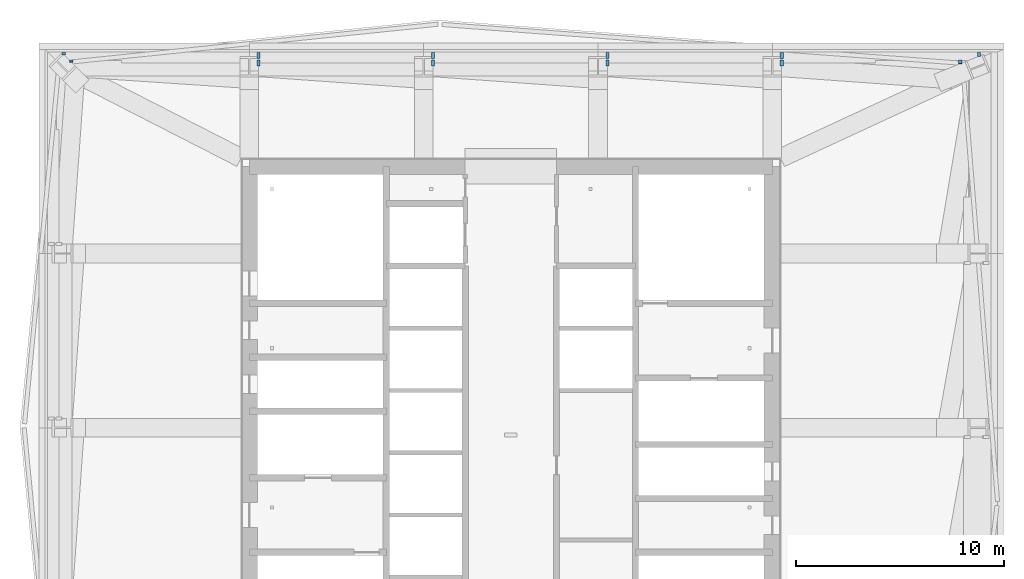
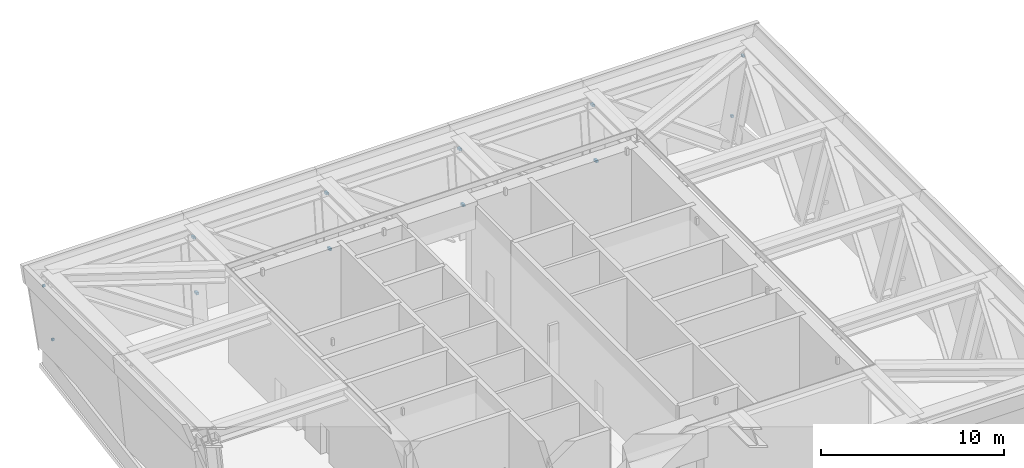
# One storey, part 6 of 7: 12 discrete accessories.
"""IFC4 building model written with IfcOpenShell, lengths in metres."""

from ifc_helpers import new_model, si_unit, direction, frame, origin, origin_2d, place, context, subcontext, project, spatial, rectangle, extrude, material, type_object, element, save


model = new_model("IFC4")

# Units and contexts
model_context = context("Model", 3, precision=1e-05, world=origin(), true_north=direction((0.0, 1.0)))
body_context = subcontext(model_context, "Body", "Model", "MODEL_VIEW")
ifc_project = project(units=[si_unit("LENGTHUNIT", "METRE"), si_unit("AREAUNIT", "SQUARE_METRE"), si_unit("VOLUMEUNIT", "CUBIC_METRE"), si_unit("PLANEANGLEUNIT", "RADIAN"), si_unit("MASSUNIT", "GRAM", prefix="KILO")], contexts=[model_context])

# Site, building, storey
site_placement = place(None, origin())
site = spatial("IfcSite", under=ifc_project, at=site_placement, CompositionType="ELEMENT")
building_placement = place(site_placement, origin())
building = spatial("IfcBuilding", under=site, at=building_placement, Name="Rekha Terrace Tower", CompositionType="ELEMENT")
storey_placement = place(building_placement, frame((0.0, 0.0, 296.75)))
storey = spatial("IfcBuildingStorey", under=building, at=storey_placement, Name="L75", CompositionType="ELEMENT", Elevation=296.75)

# Discrete accessories
ifc_material = material(Name="Galvanised steel bracket", Category="steel")
discrete_accessory_type = type_object("IfcDiscreteAccessoryType", Name="CB2 crown screen bracket 150 x 150", PredefinedType="BRACKET", material=ifc_material)
discrete_accessory_1_placement = place(storey_placement, frame((59.4521484375, 51.135498046875, 1.31787109375), z_axis=(0.0, 0.994785074076, -0.101993413494), x_axis=(-1.0, 0.0, 0.0)))
element("IfcDiscreteAccessory", 1, at=discrete_accessory_1_placement, inside=storey, type_object=discrete_accessory_type, Name="Crown screen bracket 8G foot", PredefinedType="BRACKET", context=body_context, shape_type="SweptSolid", body=[
    extrude(rectangle(XDim=0.14990234375, YDim=0.14990234375, at=origin_2d()), origin(), (0.0, 0.0, 1.0), 0.1748046875),
])
discrete_accessory_2_placement = place(storey_placement, frame((60.349609375, 51.49462890625, 4.81787109375), z_axis=(0.0, 0.994770509438, -0.102135368761), x_axis=(-1.0, 0.0, 0.0)))
element("IfcDiscreteAccessory", 2, at=discrete_accessory_2_placement, inside=storey, type_object=discrete_accessory_type, Name="Crown screen bracket 8G head", PredefinedType="BRACKET", context=body_context, shape_type="SweptSolid", body=[
    extrude(rectangle(XDim=0.14990234375, YDim=0.14990234375, at=origin_2d()), origin(), (0.0, 0.0, 1.0), 0.174560546875),
])
for number, where, z_axis, x_axis, name in (
    (3, (50.85009765625, 51.0361328125, 1.39990234375), (0.0, 0.994767911049, -0.102160673197), (-1.0, 0.0, 0.0), "Crown screen bracket 7G foot"),
    (4, (50.85009765625, 51.39501953125, 4.89990234375), (0.0, 0.994767911049, -0.102160673197), (-1.0, 0.0, 0.0), "Crown screen bracket 7G head"),
    (5, (42.449951171875, 51.0361328125, 1.39990234375), (0.0, 0.994767911049, -0.102160673197), (-1.0, 0.0, 0.0), "Crown screen bracket 6G foot"),
    (6, (42.449951171875, 51.39501953125, 4.89990234375), (0.0, 0.994767911049, -0.102160673197), (-1.0, 0.0, 0.0), "Crown screen bracket 6G head"),
    (7, (34.050048828125, 51.0361328125, 1.39990234375), (0.0, 0.994767911049, -0.102160673197), (-1.0, 0.0, 0.0), "Crown screen bracket 5G foot"),
    (8, (34.050048828125, 51.39501953125, 4.89990234375), (0.0, 0.994767911049, -0.102160673197), (-1.0, 0.0, 0.0), "Crown screen bracket 5G head"),
    (9, (25.64990234375, 51.0361328125, 1.39990234375), (0.0, 0.994767911049, -0.102160673197), (-1.0, 0.0, 0.0), "Crown screen bracket 4G foot"),
    (10, (25.64990234375, 51.39501953125, 4.89990234375), (0.0, 0.994767911049, -0.102160673197), (-1.0, 0.0, 0.0), "Crown screen bracket 4G head"),
):
    element("IfcDiscreteAccessory", number, at=place(storey_placement, frame(where, z_axis=z_axis, x_axis=x_axis)), inside=storey, type_object=discrete_accessory_type, Name=name, PredefinedType="BRACKET", context=body_context, shape_type="SweptSolid", body=[
        extrude(rectangle(XDim=0.14990234375, YDim=0.14990234375, at=origin_2d()), origin(), (0.0, 0.0, 1.0), 0.281982421875),
    ])
discrete_accessory_3_placement = place(storey_placement, frame((16.61962890625, 51.206787109375, 1.379150390625), z_axis=(0.0, 0.9947929642, -0.101916428404), x_axis=(-1.0, 0.0, 0.0)))
element("IfcDiscreteAccessory", 11, at=discrete_accessory_3_placement, inside=storey, type_object=discrete_accessory_type, Name="Crown screen bracket 3G foot", PredefinedType="BRACKET", context=body_context, shape_type="SweptSolid", body=[
    extrude(rectangle(XDim=0.14990234375, YDim=0.14990234375, at=origin_2d()), origin(), (0.0, 0.0, 1.0), 0.110107421875),
])
discrete_accessory_4_placement = place(storey_placement, frame((16.260498046875, 51.56591796875, 4.879150390625), z_axis=(0.0, 0.994769874813, -0.102141549646), x_axis=(-1.0, 0.0, 0.0)))
element("IfcDiscreteAccessory", 12, at=discrete_accessory_4_placement, inside=storey, type_object=discrete_accessory_type, Name="Crown screen bracket 3G head", PredefinedType="BRACKET", context=body_context, shape_type="SweptSolid", body=[
    extrude(rectangle(XDim=0.14990234375, YDim=0.14990234375, at=origin_2d()), origin(), (0.0, 0.0, 1.0), 0.10986328125),
])

save(model, "model.ifc")
